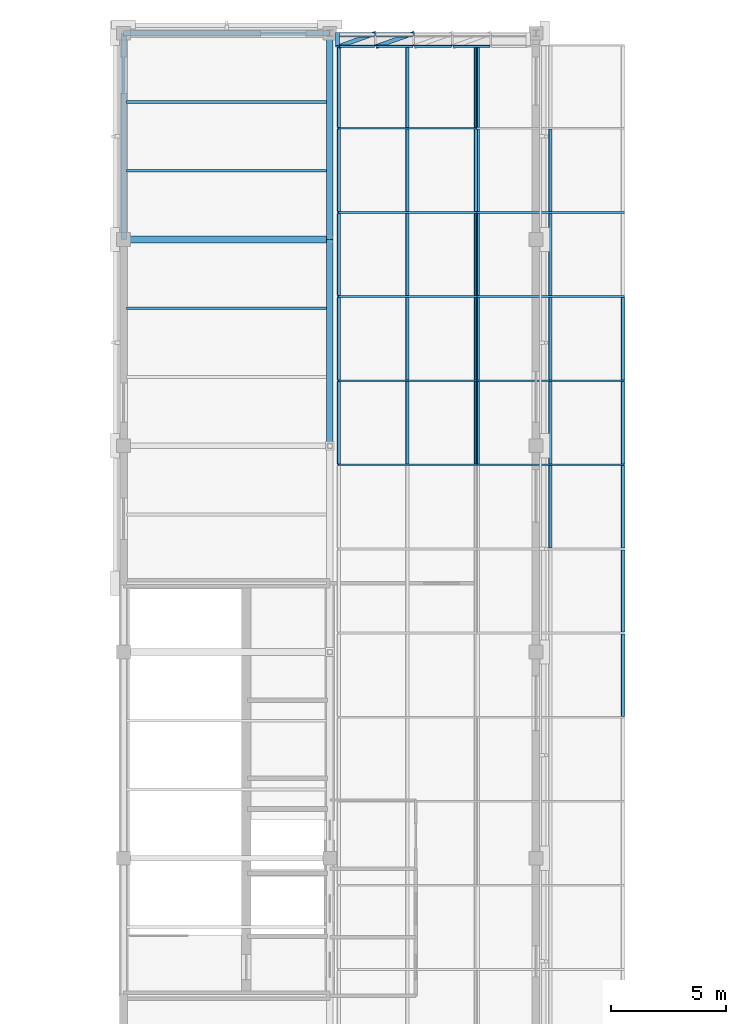
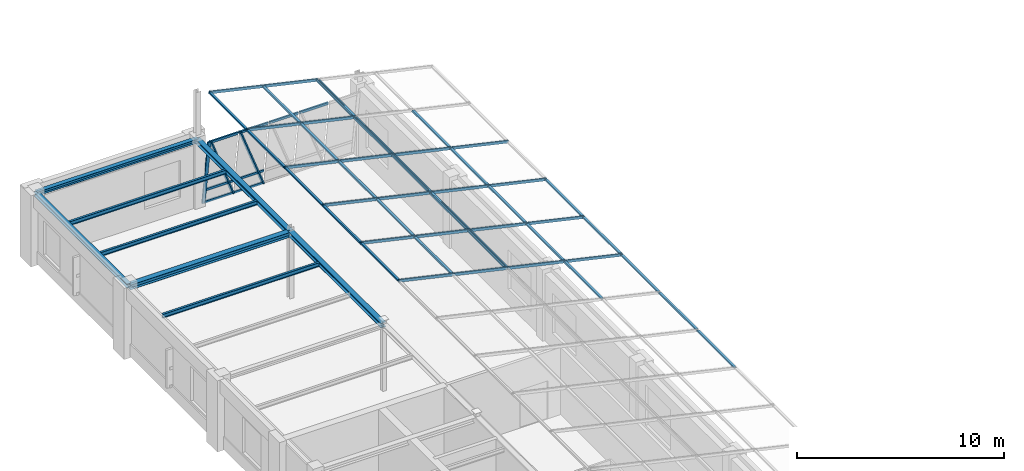
# One storey, part 56 of 97: 51 members, 8 beams, 3 elements without a shape of their own.
"""IFC4 building model written with IfcOpenShell, lengths in metres."""

from ifc_helpers import new_model, si_unit, direction, frame, origin, origin_2d, place, context, subcontext, project, spatial, hollow_rectangle, i_section, extrude, material, material_profile, profile_set, type_object, element, aggregate, save


model = new_model("IFC4")

# Units and contexts
model_context = context("Model", 3, precision=1e-05, world=origin(), true_north=direction((0.0, 1.0)))
body_context = subcontext(model_context, "Body", "Model", "MODEL_VIEW")
ifc_project = project(units=[si_unit("LENGTHUNIT", "METRE"), si_unit("AREAUNIT", "SQUARE_METRE"), si_unit("VOLUMEUNIT", "CUBIC_METRE"), si_unit("PLANEANGLEUNIT", "RADIAN"), si_unit("MASSUNIT", "GRAM", prefix="KILO")], contexts=[model_context])

# Site, building, storey
site_placement = place(None, origin())
site = spatial("IfcSite", under=ifc_project, at=site_placement, CompositionType="ELEMENT")
building_placement = place(site_placement, origin())
building = spatial("IfcBuilding", under=site, at=building_placement, Name="Lykobir Media Centre", CompositionType="ELEMENT")
storey_placement = place(building_placement, frame((0.0, 0.0, 23.39990234375)))
storey = spatial("IfcBuildingStorey", under=building, at=storey_placement, Name="L05", CompositionType="ELEMENT", Elevation=23.39990234375)

# Beams
ifc_material_1 = material(Name="Steel S355", Category="steel")
ifc_material_profile_1 = material_profile(ifc_material_1, i_section(OverallWidth=0.280029296875, OverallDepth=0.27001953125, WebThickness=0.008056640625, FlangeThickness=0.012939453125, at=origin_2d()), Name="HEA 280")
ifc_profile_set_1 = profile_set([ifc_material_profile_1], Name="Steel S355")
beam_type_1 = type_object("IfcBeamType", Name="BM-HEA280", PredefinedType="BEAM", material=ifc_profile_set_1)
for number, where, z_axis, x_axis, name in (
    (1, (36.0, 90.0, 3.8251953125), (0.0, 1.0, 0.0), (-1.0, 0.0, 0.0), "Beam BM-L05-0360-0900-0360-0990-2722"),
    (2, (36.0, 99.0, 3.8251953125), (0.0, 1.0, 0.0), (-1.0, 0.0, 0.0), "Beam BM-L05-0360-0990-0360-1080-2722"),
):
    element("IfcBeam", number, at=place(storey_placement, frame(where, z_axis=z_axis, x_axis=x_axis)), inside=storey, type_object=beam_type_1, Name=name, PredefinedType="BEAM", context=body_context, shape_type="SweptSolid", body=[
        extrude(i_section(OverallWidth=0.280029296875, OverallDepth=0.27001953125, WebThickness=0.008056640625, FlangeThickness=0.012939453125, at=origin_2d()), origin(), (0.0, 0.0, 1.0), 9.0),
    ])
ifc_material_profile_2 = material_profile(ifc_material_1, i_section(OverallWidth=0.300048828125, OverallDepth=0.2900390625, WebThickness=0.008544921875, FlangeThickness=0.013916015625, at=origin_2d()), Name="HEA 300")
ifc_profile_set_2 = profile_set([ifc_material_profile_2], Name="Steel S355")
beam_type_2 = type_object("IfcBeamType", Name="BM-HEA300", PredefinedType="BEAM", material=ifc_profile_set_2)
beam_placement = place(storey_placement, frame((27.0, 99.0, 3.815185546875), z_axis=(1.0, 0.0, 0.0), x_axis=(0.0, 1.0, 0.0)))
element("IfcBeam", 3, at=beam_placement, inside=storey, type_object=beam_type_2, Name="Beam BM-L05-0270-0990-0360-0990-2722", PredefinedType="BEAM", context=body_context, shape_type="SweptSolid", body=[
    extrude(i_section(OverallWidth=0.300048828125, OverallDepth=0.2900390625, WebThickness=0.008544921875, FlangeThickness=0.013916015625, at=origin_2d()), origin(), (0.0, 0.0, 1.0), 9.0),
])

# Curtain wall, members
ifc_material_2 = material(Name="Anodized Aluminium AW-6060", Category="aluminium")
curtain_wall_type_1 = type_object("IfcCurtainWallType", Name="CW-V6-CR5", PredefinedType="NOTDEFINED", material=ifc_material_2)
curtain_wall_1_placement = place(storey_placement, origin())
curtain_wall_1 = element("IfcCurtainWall", 4, at=curtain_wall_1_placement, inside=storey, type_object=curtain_wall_type_1, Name="Curtain wall CW2-L05-0200", PredefinedType="NOTDEFINED")
ifc_material_profile_3 = material_profile(ifc_material_2, hollow_rectangle(XDim=0.074951171875, YDim=0.179931640625, WallThickness=0.00390625, at=origin_2d()), Name="ALU MULLION 75x180")
ifc_profile_set_3 = profile_set([ifc_material_profile_3], Name="Anodized Aluminium AW-6060")
member_type_1 = type_object("IfcMemberType", Name="CWM-180", PredefinedType="MULLION", material=ifc_profile_set_3)
member_1_placement = place(storey_placement, frame((36.342529296875, 108.0, 0.0), z_axis=(0.0, -0.142649034949, 0.989773334066), x_axis=(0.0, 0.989773334066, 0.142649034949)))
member_1 = element("IfcMember", 5, at=member_1_placement, type_object=member_type_1, Name="CW2-L05-0200 mullion 1", PredefinedType="MULLION", context=body_context, shape_type="SweptSolid", body=[
    extrude(hollow_rectangle(XDim=0.074951171875, YDim=0.179931640625, WallThickness=0.00390625, at=origin_2d()), origin(), (0.0, 0.0, 1.0), 3.98095703125),
])
member_2_placement = place(storey_placement, frame((37.98291015625, 108.0, 0.0), z_axis=(-0.365957330306, -0.132753704038, 0.921114372084), x_axis=(0.865901427142, 0.314112089759, 0.389292067143)))
member_2 = element("IfcMember", 6, at=member_2_placement, type_object=member_type_1, Name="CW2-L05-0200 mullion 2", PredefinedType="MULLION", context=body_context, shape_type="SweptSolid", body=[
    extrude(hollow_rectangle(XDim=0.074951171875, YDim=0.179931640625, WallThickness=0.00390625, at=origin_2d()), origin(), (0.0, 0.0, 1.0), 4.277587890625),
])
member_3_placement = place(storey_placement, frame((39.660888671875, 108.0, 0.0), z_axis=(-0.374560053381, -0.132264564166, 0.917720464781), x_axis=(0.865353009405, 0.305573265504, 0.397226822512)))
member_3 = element("IfcMember", 7, at=member_3_placement, type_object=member_type_1, Name="CW2-L05-0200 mullion 3", PredefinedType="MULLION", context=body_context, shape_type="SweptSolid", body=[
    extrude(hollow_rectangle(XDim=0.074951171875, YDim=0.179931640625, WallThickness=0.00390625, at=origin_2d()), origin(), (0.0, 0.0, 1.0), 4.29345703125),
])
ifc_material_profile_4 = material_profile(ifc_material_2, hollow_rectangle(XDim=0.074951171875, YDim=0.14990234375, WallThickness=0.00341796875, at=origin_2d()), Name="ALU TRANSOM 75x150")
ifc_profile_set_4 = profile_set([ifc_material_profile_4], Name="Anodized Aluminium AW-6060")
member_type_2 = type_object("IfcMemberType", Name="CWT-150", PredefinedType="USERDEFINED", material=ifc_profile_set_4)
member_4_placement = place(storey_placement, frame((36.3798828125, 107.99462890625, 0.037109375), z_axis=(1.0, 0.0, 0.0), x_axis=(0.0, 0.989776230908, 0.142628933706)))
member_4 = element("IfcMember", 8, at=member_4_placement, type_object=member_type_2, Name="CW2-L05-0200 transom 1.1", ObjectType="TRANSOM", PredefinedType="USERDEFINED", context=body_context, shape_type="SweptSolid", body=[
    extrude(hollow_rectangle(XDim=0.074951171875, YDim=0.14990234375, WallThickness=0.00341796875, at=origin_2d()), origin(), (0.0, 0.0, 1.0), 1.565673828125),
])
member_5_placement = place(storey_placement, frame((36.3798828125, 107.87890625, 0.84130859375), z_axis=(1.0, 0.0, 0.0), x_axis=(0.0, 0.989776230908, 0.142628933706)))
member_5 = element("IfcMember", 9, at=member_5_placement, type_object=member_type_2, Name="CW2-L05-0200 transom 1.2", ObjectType="TRANSOM", PredefinedType="USERDEFINED", context=body_context, shape_type="SweptSolid", body=[
    extrude(hollow_rectangle(XDim=0.074951171875, YDim=0.14990234375, WallThickness=0.00341796875, at=origin_2d()), origin(), (0.0, 0.0, 1.0), 1.565673828125),
])
member_6_placement = place(storey_placement, frame((36.3798828125, 107.4375, 3.903076171875), z_axis=(1.0, 0.0, 0.0), x_axis=(0.0, 0.989776230908, 0.142628933706)))
member_6 = element("IfcMember", 10, at=member_6_placement, type_object=member_type_2, Name="CW2-L05-0200 transom 1.3", ObjectType="TRANSOM", PredefinedType="USERDEFINED", context=body_context, shape_type="SweptSolid", body=[
    extrude(hollow_rectangle(XDim=0.074951171875, YDim=0.14990234375, WallThickness=0.00341796875, at=origin_2d()), origin(), (0.0, 0.0, 1.0), 1.565673828125),
])
member_7_placement = place(storey_placement, frame((38.0205078125, 107.99462890625, 0.037109375), z_axis=(1.0, 0.0, 0.0), x_axis=(0.0, 0.989776230908, 0.142628933706)))
member_7 = element("IfcMember", 11, at=member_7_placement, type_object=member_type_2, Name="CW2-L05-0200 transom 2.1", ObjectType="TRANSOM", PredefinedType="USERDEFINED", context=body_context, shape_type="SweptSolid", body=[
    extrude(hollow_rectangle(XDim=0.074951171875, YDim=0.14990234375, WallThickness=0.00341796875, at=origin_2d()), origin(), (0.0, 0.0, 1.0), 1.60302734375),
])
member_8_placement = place(storey_placement, frame((38.0205078125, 107.87890625, 0.84130859375), z_axis=(1.0, 0.0, 0.0), x_axis=(0.0, 0.989776230908, 0.142628933706)))
member_8 = element("IfcMember", 12, at=member_8_placement, type_object=member_type_2, Name="CW2-L05-0200 transom 2.2", ObjectType="TRANSOM", PredefinedType="USERDEFINED", context=body_context, shape_type="SweptSolid", body=[
    extrude(hollow_rectangle(XDim=0.074951171875, YDim=0.14990234375, WallThickness=0.00341796875, at=origin_2d()), origin(), (0.0, 0.0, 1.0), 1.60302734375),
])
member_9_placement = place(storey_placement, frame((38.0205078125, 107.4375, 3.903076171875), z_axis=(1.0, 0.0, 0.0), x_axis=(0.0, 0.989776230908, 0.142628933706)))
member_9 = element("IfcMember", 13, at=member_9_placement, type_object=member_type_2, Name="CW2-L05-0200 transom 2.3", ObjectType="TRANSOM", PredefinedType="USERDEFINED", context=body_context, shape_type="SweptSolid", body=[
    extrude(hollow_rectangle(XDim=0.074951171875, YDim=0.14990234375, WallThickness=0.00341796875, at=origin_2d()), origin(), (0.0, 0.0, 1.0), 1.60302734375),
])
member_10_placement = place(storey_placement, frame((39.698486328125, 107.4375, 3.903076171875), z_axis=(1.0, 0.0, 0.0), x_axis=(0.0, 0.989776230908, 0.142628933706)))
member_10 = element("IfcMember", 14, at=member_10_placement, type_object=member_type_2, Name="CW2-L05-0200 transom 3.3", ObjectType="TRANSOM", PredefinedType="USERDEFINED", context=body_context, shape_type="SweptSolid", body=[
    extrude(hollow_rectangle(XDim=0.074951171875, YDim=0.14990234375, WallThickness=0.00341796875, at=origin_2d()), origin(), (0.0, 0.0, 1.0), 1.60302734375),
])
member_11_placement = place(storey_placement, frame((41.37646484375, 107.4375, 3.903076171875), z_axis=(1.0, 0.0, 0.0), x_axis=(0.0, 0.989776230908, 0.142628933706)))
member_11 = element("IfcMember", 15, at=member_11_placement, type_object=member_type_2, Name="CW2-L05-0200 transom 4.3", ObjectType="TRANSOM", PredefinedType="USERDEFINED", context=body_context, shape_type="SweptSolid", body=[
    extrude(hollow_rectangle(XDim=0.074951171875, YDim=0.14990234375, WallThickness=0.00341796875, at=origin_2d()), origin(), (0.0, 0.0, 1.0), 1.60302734375),
])
aggregate(curtain_wall_1, [member_1, member_2, member_3, member_4, member_5, member_6, member_7, member_8, member_9, member_10, member_11])

curtain_wall_type_2 = type_object("IfcCurtainWallType", Name="CW-V6-SKY", PredefinedType="NOTDEFINED", material=ifc_material_2)
curtain_wall_2_placement = place(storey_placement, origin())
curtain_wall_2 = element("IfcCurtainWall", 16, at=curtain_wall_2_placement, inside=storey, type_object=curtain_wall_type_2, Name="Curtain wall CW-V6-SKY06", PredefinedType="NOTDEFINED")
member_12_placement = place(storey_placement, frame((48.834716796875, 100.179931640625, 3.9873046875), z_axis=(-0.975255318588, 0.0, 0.221081576721), x_axis=(0.0, -1.0, 0.0)))
member_12 = element("IfcMember", 17, at=member_12_placement, type_object=member_type_2, Name="CW-V6-SKY06 rafter transom 3", ObjectType="TRANSOM", PredefinedType="USERDEFINED", context=body_context, shape_type="SweptSolid", body=[
    extrude(hollow_rectangle(XDim=0.074951171875, YDim=0.14990234375, WallThickness=0.00341796875, at=origin_2d()), origin(), (0.0, 0.0, 1.0), 6.591552734375),
])
member_13_placement = place(storey_placement, frame((48.834716796875, 96.510009765625, 3.9873046875), z_axis=(-0.975255318588, 0.0, 0.221081576721), x_axis=(0.0, -1.0, 0.0)))
member_13 = element("IfcMember", 18, at=member_13_placement, type_object=member_type_2, Name="CW-V6-SKY06 rafter transom 4", ObjectType="TRANSOM", PredefinedType="USERDEFINED", context=body_context, shape_type="SweptSolid", body=[
    extrude(hollow_rectangle(XDim=0.074951171875, YDim=0.14990234375, WallThickness=0.00341796875, at=origin_2d()), origin(), (0.0, 0.0, 1.0), 6.591552734375),
])
member_14_placement = place(storey_placement, frame((48.834716796875, 92.840087890625, 3.9873046875), z_axis=(-0.975255318588, 0.0, 0.221081576721), x_axis=(0.0, -1.0, 0.0)))
member_14 = element("IfcMember", 19, at=member_14_placement, type_object=member_type_2, Name="CW-V6-SKY06 rafter transom 5", ObjectType="TRANSOM", PredefinedType="USERDEFINED", context=body_context, shape_type="SweptSolid", body=[
    extrude(hollow_rectangle(XDim=0.074951171875, YDim=0.14990234375, WallThickness=0.00341796875, at=origin_2d()), origin(), (0.0, 0.0, 1.0), 6.591552734375),
])
member_15_placement = place(storey_placement, frame((48.834716796875, 89.169921875, 3.9873046875), z_axis=(-0.975255318588, 0.0, 0.221081576721), x_axis=(0.0, -1.0, 0.0)))
member_15 = element("IfcMember", 20, at=member_15_placement, type_object=member_type_2, Name="CW-V6-SKY06 rafter transom 6", ObjectType="TRANSOM", PredefinedType="USERDEFINED", context=body_context, shape_type="SweptSolid", body=[
    extrude(hollow_rectangle(XDim=0.074951171875, YDim=0.14990234375, WallThickness=0.00341796875, at=origin_2d()), origin(), (0.0, 0.0, 1.0), 6.591552734375),
])
member_16_placement = place(storey_placement, frame((42.44287109375, 107.445068359375, 5.436279296875), z_axis=(0.0, -1.0, 0.0), x_axis=(0.221071923309, 0.0, 0.975257506879)))
member_16 = element("IfcMember", 21, at=member_16_placement, type_object=member_type_2, Name="CW-V6-SKY06 transom 1.3", ObjectType="TRANSOM", PredefinedType="USERDEFINED", context=body_context, shape_type="SweptSolid", body=[
    extrude(hollow_rectangle(XDim=0.074951171875, YDim=0.14990234375, WallThickness=0.00341796875, at=origin_2d()), origin(), (0.0, 0.0, 1.0), 3.5576171875),
])
member_17_placement = place(storey_placement, frame((45.62060546875, 103.8125, 4.7158203125), z_axis=(0.0, -1.0, 0.0), x_axis=(0.221071923309, 0.0, 0.975257506879)))
member_17 = element("IfcMember", 22, at=member_17_placement, type_object=member_type_2, Name="CW-V6-SKY06 transom 2.2", ObjectType="TRANSOM", PredefinedType="USERDEFINED", context=body_context, shape_type="SweptSolid", body=[
    extrude(hollow_rectangle(XDim=0.074951171875, YDim=0.14990234375, WallThickness=0.00341796875, at=origin_2d()), origin(), (0.0, 0.0, 1.0), 3.594970703125),
])
member_18_placement = place(storey_placement, frame((42.44287109375, 103.8125, 5.436279296875), z_axis=(0.0, -1.0, 0.0), x_axis=(0.221071923309, 0.0, 0.975257506879)))
member_18 = element("IfcMember", 23, at=member_18_placement, type_object=member_type_2, Name="CW-V6-SKY06 transom 2.3", ObjectType="TRANSOM", PredefinedType="USERDEFINED", context=body_context, shape_type="SweptSolid", body=[
    extrude(hollow_rectangle(XDim=0.074951171875, YDim=0.14990234375, WallThickness=0.00341796875, at=origin_2d()), origin(), (0.0, 0.0, 1.0), 3.594970703125),
])
member_19_placement = place(storey_placement, frame((45.62060546875, 100.142578125, 4.7158203125), z_axis=(0.0, -1.0, 0.0), x_axis=(0.221071923309, 0.0, 0.975257506879)))
member_19 = element("IfcMember", 24, at=member_19_placement, type_object=member_type_2, Name="CW-V6-SKY06 transom 3.2", ObjectType="TRANSOM", PredefinedType="USERDEFINED", context=body_context, shape_type="SweptSolid", body=[
    extrude(hollow_rectangle(XDim=0.074951171875, YDim=0.14990234375, WallThickness=0.00341796875, at=origin_2d()), origin(), (0.0, 0.0, 1.0), 3.594970703125),
])
member_20_placement = place(storey_placement, frame((42.44287109375, 100.142578125, 5.436279296875), z_axis=(0.0, -1.0, 0.0), x_axis=(0.221071923309, 0.0, 0.975257506879)))
member_20 = element("IfcMember", 25, at=member_20_placement, type_object=member_type_2, Name="CW-V6-SKY06 transom 3.3", ObjectType="TRANSOM", PredefinedType="USERDEFINED", context=body_context, shape_type="SweptSolid", body=[
    extrude(hollow_rectangle(XDim=0.074951171875, YDim=0.14990234375, WallThickness=0.00341796875, at=origin_2d()), origin(), (0.0, 0.0, 1.0), 3.594970703125),
])
member_21_placement = place(storey_placement, frame((48.798095703125, 96.472412109375, 3.99560546875), z_axis=(0.0, -1.0, 0.0), x_axis=(0.221071923309, 0.0, 0.975257506879)))
member_21 = element("IfcMember", 26, at=member_21_placement, type_object=member_type_2, Name="CW-V6-SKY06 transom 4.1", ObjectType="TRANSOM", PredefinedType="USERDEFINED", context=body_context, shape_type="SweptSolid", body=[
    extrude(hollow_rectangle(XDim=0.074951171875, YDim=0.14990234375, WallThickness=0.00341796875, at=origin_2d()), origin(), (0.0, 0.0, 1.0), 3.594970703125),
])
member_22_placement = place(storey_placement, frame((45.62060546875, 96.472412109375, 4.7158203125), z_axis=(0.0, -1.0, 0.0), x_axis=(0.221071923309, 0.0, 0.975257506879)))
member_22 = element("IfcMember", 27, at=member_22_placement, type_object=member_type_2, Name="CW-V6-SKY06 transom 4.2", ObjectType="TRANSOM", PredefinedType="USERDEFINED", context=body_context, shape_type="SweptSolid", body=[
    extrude(hollow_rectangle(XDim=0.074951171875, YDim=0.14990234375, WallThickness=0.00341796875, at=origin_2d()), origin(), (0.0, 0.0, 1.0), 3.594970703125),
])
member_23_placement = place(storey_placement, frame((42.44287109375, 96.472412109375, 5.436279296875), z_axis=(0.0, -1.0, 0.0), x_axis=(0.221071923309, 0.0, 0.975257506879)))
member_23 = element("IfcMember", 28, at=member_23_placement, type_object=member_type_2, Name="CW-V6-SKY06 transom 4.3", ObjectType="TRANSOM", PredefinedType="USERDEFINED", context=body_context, shape_type="SweptSolid", body=[
    extrude(hollow_rectangle(XDim=0.074951171875, YDim=0.14990234375, WallThickness=0.00341796875, at=origin_2d()), origin(), (0.0, 0.0, 1.0), 3.594970703125),
])
member_24_placement = place(storey_placement, frame((48.798095703125, 92.802490234375, 3.99560546875), z_axis=(0.0, -1.0, 0.0), x_axis=(0.221071923309, 0.0, 0.975257506879)))
member_24 = element("IfcMember", 29, at=member_24_placement, type_object=member_type_2, Name="CW-V6-SKY06 transom 5.1", ObjectType="TRANSOM", PredefinedType="USERDEFINED", context=body_context, shape_type="SweptSolid", body=[
    extrude(hollow_rectangle(XDim=0.074951171875, YDim=0.14990234375, WallThickness=0.00341796875, at=origin_2d()), origin(), (0.0, 0.0, 1.0), 3.594970703125),
])
member_25_placement = place(storey_placement, frame((45.62060546875, 92.802490234375, 4.7158203125), z_axis=(0.0, -1.0, 0.0), x_axis=(0.221071923309, 0.0, 0.975257506879)))
member_25 = element("IfcMember", 30, at=member_25_placement, type_object=member_type_2, Name="CW-V6-SKY06 transom 5.2", ObjectType="TRANSOM", PredefinedType="USERDEFINED", context=body_context, shape_type="SweptSolid", body=[
    extrude(hollow_rectangle(XDim=0.074951171875, YDim=0.14990234375, WallThickness=0.00341796875, at=origin_2d()), origin(), (0.0, 0.0, 1.0), 3.594970703125),
])
member_26_placement = place(storey_placement, frame((42.44287109375, 92.802490234375, 5.436279296875), z_axis=(0.0, -1.0, 0.0), x_axis=(0.221071923309, 0.0, 0.975257506879)))
member_26 = element("IfcMember", 31, at=member_26_placement, type_object=member_type_2, Name="CW-V6-SKY06 transom 5.3", ObjectType="TRANSOM", PredefinedType="USERDEFINED", context=body_context, shape_type="SweptSolid", body=[
    extrude(hollow_rectangle(XDim=0.074951171875, YDim=0.14990234375, WallThickness=0.00341796875, at=origin_2d()), origin(), (0.0, 0.0, 1.0), 3.594970703125),
])
member_27_placement = place(storey_placement, frame((48.798095703125, 89.132568359375, 3.99560546875), z_axis=(0.0, -1.0, 0.0), x_axis=(0.221071923309, 0.0, 0.975257506879)))
member_27 = element("IfcMember", 32, at=member_27_placement, type_object=member_type_2, Name="CW-V6-SKY06 transom 6.1", ObjectType="TRANSOM", PredefinedType="USERDEFINED", context=body_context, shape_type="SweptSolid", body=[
    extrude(hollow_rectangle(XDim=0.074951171875, YDim=0.14990234375, WallThickness=0.00341796875, at=origin_2d()), origin(), (0.0, 0.0, 1.0), 3.594970703125),
])
member_28_placement = place(storey_placement, frame((45.62060546875, 89.132568359375, 4.7158203125), z_axis=(0.0, -1.0, 0.0), x_axis=(0.221071923309, 0.0, 0.975257506879)))
member_28 = element("IfcMember", 33, at=member_28_placement, type_object=member_type_2, Name="CW-V6-SKY06 transom 6.2", ObjectType="TRANSOM", PredefinedType="USERDEFINED", context=body_context, shape_type="SweptSolid", body=[
    extrude(hollow_rectangle(XDim=0.074951171875, YDim=0.14990234375, WallThickness=0.00341796875, at=origin_2d()), origin(), (0.0, 0.0, 1.0), 3.594970703125),
])
member_29_placement = place(storey_placement, frame((48.798095703125, 85.46240234375, 3.99560546875), z_axis=(0.0, -1.0, 0.0), x_axis=(0.221071923309, 0.0, 0.975257506879)))
member_29 = element("IfcMember", 34, at=member_29_placement, type_object=member_type_2, Name="CW-V6-SKY06 transom 7.1", ObjectType="TRANSOM", PredefinedType="USERDEFINED", context=body_context, shape_type="SweptSolid", body=[
    extrude(hollow_rectangle(XDim=0.074951171875, YDim=0.14990234375, WallThickness=0.00341796875, at=origin_2d()), origin(), (0.0, 0.0, 1.0), 3.594970703125),
])
member_30_placement = place(storey_placement, frame((48.798095703125, 81.79248046875, 3.99560546875), z_axis=(0.0, -1.0, 0.0), x_axis=(0.221071923309, 0.0, 0.975257506879)))
member_30 = element("IfcMember", 35, at=member_30_placement, type_object=member_type_2, Name="CW-V6-SKY06 transom 8.1", ObjectType="TRANSOM", PredefinedType="USERDEFINED", context=body_context, shape_type="SweptSolid", body=[
    extrude(hollow_rectangle(XDim=0.074951171875, YDim=0.14990234375, WallThickness=0.00341796875, at=origin_2d()), origin(), (0.0, 0.0, 1.0), 3.594970703125),
])
aggregate(curtain_wall_2, [member_12, member_13, member_14, member_15, member_16, member_17, member_18, member_19, member_20, member_21, member_22, member_23, member_24, member_25, member_26, member_27, member_28, member_29, member_30])

curtain_wall_3_placement = place(storey_placement, origin())
curtain_wall_3 = element("IfcCurtainWall", 36, at=curtain_wall_3_placement, inside=storey, type_object=curtain_wall_type_2, Name="Curtain wall CW-V6-SKY07", PredefinedType="NOTDEFINED")
member_31_placement = place(storey_placement, frame((42.40625, 107.482421875, 5.444580078125), z_axis=(-0.97526608678, 0.0, 0.221034069718), x_axis=(0.0, -1.0, 0.0)))
member_31 = element("IfcMember", 37, at=member_31_placement, type_object=member_type_2, Name="CW-V6-SKY07 rafter transom 1", ObjectType="TRANSOM", PredefinedType="USERDEFINED", context=body_context, shape_type="SweptSolid", body=[
    extrude(hollow_rectangle(XDim=0.074951171875, YDim=0.14990234375, WallThickness=0.00341796875, at=origin_2d()), origin(), (0.0, 0.0, 1.0), 6.201904296875),
])
member_32_placement = place(storey_placement, frame((42.40625, 103.85009765625, 5.444580078125), z_axis=(-0.97526608678, 0.0, 0.221034069718), x_axis=(0.0, -1.0, 0.0)))
member_32 = element("IfcMember", 38, at=member_32_placement, type_object=member_type_2, Name="CW-V6-SKY07 rafter transom 2", ObjectType="TRANSOM", PredefinedType="USERDEFINED", context=body_context, shape_type="SweptSolid", body=[
    extrude(hollow_rectangle(XDim=0.074951171875, YDim=0.14990234375, WallThickness=0.00341796875, at=origin_2d()), origin(), (0.0, 0.0, 1.0), 6.201904296875),
])
member_33_placement = place(storey_placement, frame((42.40625, 100.179931640625, 5.444580078125), z_axis=(-0.97526608678, 0.0, 0.221034069718), x_axis=(0.0, -1.0, 0.0)))
member_33 = element("IfcMember", 39, at=member_33_placement, type_object=member_type_2, Name="CW-V6-SKY07 rafter transom 3", ObjectType="TRANSOM", PredefinedType="USERDEFINED", context=body_context, shape_type="SweptSolid", body=[
    extrude(hollow_rectangle(XDim=0.074951171875, YDim=0.14990234375, WallThickness=0.00341796875, at=origin_2d()), origin(), (0.0, 0.0, 1.0), 6.201904296875),
])
member_34_placement = place(storey_placement, frame((42.40625, 96.510009765625, 5.444580078125), z_axis=(-0.97526608678, 0.0, 0.221034069718), x_axis=(0.0, -1.0, 0.0)))
member_34 = element("IfcMember", 40, at=member_34_placement, type_object=member_type_2, Name="CW-V6-SKY07 rafter transom 4", ObjectType="TRANSOM", PredefinedType="USERDEFINED", context=body_context, shape_type="SweptSolid", body=[
    extrude(hollow_rectangle(XDim=0.074951171875, YDim=0.14990234375, WallThickness=0.00341796875, at=origin_2d()), origin(), (0.0, 0.0, 1.0), 6.201904296875),
])
member_35_placement = place(storey_placement, frame((42.40625, 92.840087890625, 5.444580078125), z_axis=(-0.97526608678, 0.0, 0.221034069718), x_axis=(0.0, -1.0, 0.0)))
member_35 = element("IfcMember", 41, at=member_35_placement, type_object=member_type_2, Name="CW-V6-SKY07 rafter transom 5", ObjectType="TRANSOM", PredefinedType="USERDEFINED", context=body_context, shape_type="SweptSolid", body=[
    extrude(hollow_rectangle(XDim=0.074951171875, YDim=0.14990234375, WallThickness=0.00341796875, at=origin_2d()), origin(), (0.0, 0.0, 1.0), 6.201904296875),
])
member_36_placement = place(storey_placement, frame((42.40625, 89.169921875, 5.444580078125), z_axis=(-0.97526608678, 0.0, 0.221034069718), x_axis=(0.0, -1.0, 0.0)))
member_36 = element("IfcMember", 42, at=member_36_placement, type_object=member_type_2, Name="CW-V6-SKY07 rafter transom 6", ObjectType="TRANSOM", PredefinedType="USERDEFINED", context=body_context, shape_type="SweptSolid", body=[
    extrude(hollow_rectangle(XDim=0.074951171875, YDim=0.14990234375, WallThickness=0.00341796875, at=origin_2d()), origin(), (0.0, 0.0, 1.0), 6.201904296875),
])
member_37_placement = place(storey_placement, frame((42.36962890625, 107.445068359375, 5.452880859375), z_axis=(0.0, -1.0, 0.0), x_axis=(0.221054901821, 0.0, 0.975261365164)))
member_37 = element("IfcMember", 43, at=member_37_placement, type_object=member_type_2, Name="CW-V6-SKY07 transom 1.1", ObjectType="TRANSOM", PredefinedType="USERDEFINED", context=body_context, shape_type="SweptSolid", body=[
    extrude(hollow_rectangle(XDim=0.074951171875, YDim=0.14990234375, WallThickness=0.00341796875, at=origin_2d()), origin(), (0.0, 0.0, 1.0), 3.5576171875),
])
member_38_placement = place(storey_placement, frame((39.382080078125, 107.445068359375, 6.1298828125), z_axis=(0.0, -1.0, 0.0), x_axis=(0.221054901821, 0.0, 0.975261365164)))
member_38 = element("IfcMember", 44, at=member_38_placement, type_object=member_type_2, Name="CW-V6-SKY07 transom 1.2", ObjectType="TRANSOM", PredefinedType="USERDEFINED", context=body_context, shape_type="SweptSolid", body=[
    extrude(hollow_rectangle(XDim=0.074951171875, YDim=0.14990234375, WallThickness=0.00341796875, at=origin_2d()), origin(), (0.0, 0.0, 1.0), 3.5576171875),
])
member_39_placement = place(storey_placement, frame((36.394287109375, 107.445068359375, 6.80712890625), z_axis=(0.0, -1.0, 0.0), x_axis=(0.221054901821, 0.0, 0.975261365164)))
member_39 = element("IfcMember", 45, at=member_39_placement, type_object=member_type_2, Name="CW-V6-SKY07 transom 1.3", ObjectType="TRANSOM", PredefinedType="USERDEFINED", context=body_context, shape_type="SweptSolid", body=[
    extrude(hollow_rectangle(XDim=0.074951171875, YDim=0.14990234375, WallThickness=0.00341796875, at=origin_2d()), origin(), (0.0, 0.0, 1.0), 3.5576171875),
])
member_40_placement = place(storey_placement, frame((42.36962890625, 103.8125, 5.452880859375), z_axis=(0.0, -1.0, 0.0), x_axis=(0.221054901821, 0.0, 0.975261365164)))
member_40 = element("IfcMember", 46, at=member_40_placement, type_object=member_type_2, Name="CW-V6-SKY07 transom 2.1", ObjectType="TRANSOM", PredefinedType="USERDEFINED", context=body_context, shape_type="SweptSolid", body=[
    extrude(hollow_rectangle(XDim=0.074951171875, YDim=0.14990234375, WallThickness=0.00341796875, at=origin_2d()), origin(), (0.0, 0.0, 1.0), 3.594970703125),
])
member_41_placement = place(storey_placement, frame((39.382080078125, 103.8125, 6.1298828125), z_axis=(0.0, -1.0, 0.0), x_axis=(0.221054901821, 0.0, 0.975261365164)))
member_41 = element("IfcMember", 47, at=member_41_placement, type_object=member_type_2, Name="CW-V6-SKY07 transom 2.2", ObjectType="TRANSOM", PredefinedType="USERDEFINED", context=body_context, shape_type="SweptSolid", body=[
    extrude(hollow_rectangle(XDim=0.074951171875, YDim=0.14990234375, WallThickness=0.00341796875, at=origin_2d()), origin(), (0.0, 0.0, 1.0), 3.594970703125),
])
member_42_placement = place(storey_placement, frame((36.394287109375, 103.8125, 6.80712890625), z_axis=(0.0, -1.0, 0.0), x_axis=(0.221054901821, 0.0, 0.975261365164)))
member_42 = element("IfcMember", 48, at=member_42_placement, type_object=member_type_2, Name="CW-V6-SKY07 transom 2.3", ObjectType="TRANSOM", PredefinedType="USERDEFINED", context=body_context, shape_type="SweptSolid", body=[
    extrude(hollow_rectangle(XDim=0.074951171875, YDim=0.14990234375, WallThickness=0.00341796875, at=origin_2d()), origin(), (0.0, 0.0, 1.0), 3.594970703125),
])
member_43_placement = place(storey_placement, frame((42.36962890625, 100.142578125, 5.452880859375), z_axis=(0.0, -1.0, 0.0), x_axis=(0.221054901821, 0.0, 0.975261365164)))
member_43 = element("IfcMember", 49, at=member_43_placement, type_object=member_type_2, Name="CW-V6-SKY07 transom 3.1", ObjectType="TRANSOM", PredefinedType="USERDEFINED", context=body_context, shape_type="SweptSolid", body=[
    extrude(hollow_rectangle(XDim=0.074951171875, YDim=0.14990234375, WallThickness=0.00341796875, at=origin_2d()), origin(), (0.0, 0.0, 1.0), 3.594970703125),
])
member_44_placement = place(storey_placement, frame((39.382080078125, 100.142578125, 6.1298828125), z_axis=(0.0, -1.0, 0.0), x_axis=(0.221054901821, 0.0, 0.975261365164)))
member_44 = element("IfcMember", 50, at=member_44_placement, type_object=member_type_2, Name="CW-V6-SKY07 transom 3.2", ObjectType="TRANSOM", PredefinedType="USERDEFINED", context=body_context, shape_type="SweptSolid", body=[
    extrude(hollow_rectangle(XDim=0.074951171875, YDim=0.14990234375, WallThickness=0.00341796875, at=origin_2d()), origin(), (0.0, 0.0, 1.0), 3.594970703125),
])
member_45_placement = place(storey_placement, frame((36.394287109375, 100.142578125, 6.80712890625), z_axis=(0.0, -1.0, 0.0), x_axis=(0.221054901821, 0.0, 0.975261365164)))
member_45 = element("IfcMember", 51, at=member_45_placement, type_object=member_type_2, Name="CW-V6-SKY07 transom 3.3", ObjectType="TRANSOM", PredefinedType="USERDEFINED", context=body_context, shape_type="SweptSolid", body=[
    extrude(hollow_rectangle(XDim=0.074951171875, YDim=0.14990234375, WallThickness=0.00341796875, at=origin_2d()), origin(), (0.0, 0.0, 1.0), 3.594970703125),
])
member_46_placement = place(storey_placement, frame((42.36962890625, 96.472412109375, 5.452880859375), z_axis=(0.0, -1.0, 0.0), x_axis=(0.221054901821, 0.0, 0.975261365164)))
member_46 = element("IfcMember", 52, at=member_46_placement, type_object=member_type_2, Name="CW-V6-SKY07 transom 4.1", ObjectType="TRANSOM", PredefinedType="USERDEFINED", context=body_context, shape_type="SweptSolid", body=[
    extrude(hollow_rectangle(XDim=0.074951171875, YDim=0.14990234375, WallThickness=0.00341796875, at=origin_2d()), origin(), (0.0, 0.0, 1.0), 3.594970703125),
])
member_47_placement = place(storey_placement, frame((39.382080078125, 96.472412109375, 6.1298828125), z_axis=(0.0, -1.0, 0.0), x_axis=(0.221054901821, 0.0, 0.975261365164)))
member_47 = element("IfcMember", 53, at=member_47_placement, type_object=member_type_2, Name="CW-V6-SKY07 transom 4.2", ObjectType="TRANSOM", PredefinedType="USERDEFINED", context=body_context, shape_type="SweptSolid", body=[
    extrude(hollow_rectangle(XDim=0.074951171875, YDim=0.14990234375, WallThickness=0.00341796875, at=origin_2d()), origin(), (0.0, 0.0, 1.0), 3.594970703125),
])
member_48_placement = place(storey_placement, frame((36.394287109375, 96.472412109375, 6.80712890625), z_axis=(0.0, -1.0, 0.0), x_axis=(0.221054901821, 0.0, 0.975261365164)))
member_48 = element("IfcMember", 54, at=member_48_placement, type_object=member_type_2, Name="CW-V6-SKY07 transom 4.3", ObjectType="TRANSOM", PredefinedType="USERDEFINED", context=body_context, shape_type="SweptSolid", body=[
    extrude(hollow_rectangle(XDim=0.074951171875, YDim=0.14990234375, WallThickness=0.00341796875, at=origin_2d()), origin(), (0.0, 0.0, 1.0), 3.594970703125),
])
member_49_placement = place(storey_placement, frame((42.36962890625, 92.802490234375, 5.452880859375), z_axis=(0.0, -1.0, 0.0), x_axis=(0.221054901821, 0.0, 0.975261365164)))
member_49 = element("IfcMember", 55, at=member_49_placement, type_object=member_type_2, Name="CW-V6-SKY07 transom 5.1", ObjectType="TRANSOM", PredefinedType="USERDEFINED", context=body_context, shape_type="SweptSolid", body=[
    extrude(hollow_rectangle(XDim=0.074951171875, YDim=0.14990234375, WallThickness=0.00341796875, at=origin_2d()), origin(), (0.0, 0.0, 1.0), 3.594970703125),
])
member_50_placement = place(storey_placement, frame((39.382080078125, 92.802490234375, 6.1298828125), z_axis=(0.0, -1.0, 0.0), x_axis=(0.221054901821, 0.0, 0.975261365164)))
member_50 = element("IfcMember", 56, at=member_50_placement, type_object=member_type_2, Name="CW-V6-SKY07 transom 5.2", ObjectType="TRANSOM", PredefinedType="USERDEFINED", context=body_context, shape_type="SweptSolid", body=[
    extrude(hollow_rectangle(XDim=0.074951171875, YDim=0.14990234375, WallThickness=0.00341796875, at=origin_2d()), origin(), (0.0, 0.0, 1.0), 3.594970703125),
])
member_51_placement = place(storey_placement, frame((36.394287109375, 92.802490234375, 6.80712890625), z_axis=(0.0, -1.0, 0.0), x_axis=(0.221054901821, 0.0, 0.975261365164)))
member_51 = element("IfcMember", 57, at=member_51_placement, type_object=member_type_2, Name="CW-V6-SKY07 transom 5.3", ObjectType="TRANSOM", PredefinedType="USERDEFINED", context=body_context, shape_type="SweptSolid", body=[
    extrude(hollow_rectangle(XDim=0.074951171875, YDim=0.14990234375, WallThickness=0.00341796875, at=origin_2d()), origin(), (0.0, 0.0, 1.0), 3.594970703125),
])
aggregate(curtain_wall_3, [member_31, member_32, member_33, member_34, member_35, member_36, member_37, member_38, member_39, member_40, member_41, member_42, member_43, member_44, member_45, member_46, member_47, member_48, member_49, member_50, member_51])

# Beams
ifc_material_profile_5 = material_profile(ifc_material_1, i_section(OverallWidth=0.1201171875, OverallDepth=0.239990234375, WebThickness=0.006103515625, FlangeThickness=0.009765625, at=origin_2d()), Name="IPE 240")
ifc_profile_set_5 = profile_set([ifc_material_profile_5], Name="Steel S355")
beam_type_3 = type_object("IfcBeamType", Name="JS-IPE240", PredefinedType="JOIST", material=ifc_profile_set_5)
for number, where, z_axis, x_axis, name in (
    (58, (27.1201171875, 96.0, 3.840087890625), (1.0, 0.0, 0.0), (0.0, 1.0, 0.0), "Beam BM-L05-0271-0960-0359-0960-2724"),
    (59, (27.1201171875, 102.0, 3.840087890625), (1.0, 0.0, 0.0), (0.0, 1.0, 0.0), "Beam BM-L05-0271-1020-0359-1020-2724"),
    (60, (27.1201171875, 105.0, 3.840087890625), (1.0, 0.0, 0.0), (0.0, 1.0, 0.0), "Beam BM-L05-0271-1050-0359-1050-2724"),
):
    element("IfcBeam", number, at=place(storey_placement, frame(where, z_axis=z_axis, x_axis=x_axis)), inside=storey, type_object=beam_type_3, Name=name, PredefinedType="JOIST", context=body_context, shape_type="SweptSolid", body=[
        extrude(i_section(OverallWidth=0.1201171875, OverallDepth=0.239990234375, WebThickness=0.006103515625, FlangeThickness=0.009765625, at=origin_2d()), origin(), (0.0, 0.0, 1.0), 8.739990234375),
    ])
ifc_material_profile_6 = material_profile(ifc_material_1, i_section(OverallWidth=0.239990234375, OverallDepth=0.22998046875, WebThickness=0.007568359375, FlangeThickness=0.011962890625, at=origin_2d()), Name="HEA 240")
ifc_profile_set_6 = profile_set([ifc_material_profile_6], Name="Steel S355")
beam_type_4 = type_object("IfcBeamType", Name="SP-HEA240", PredefinedType="SPANDREL", material=ifc_profile_set_6)
for number, where, z_axis, x_axis, name in (
    (61, (27.0, 108.0, 3.84521484375), (1.0, 0.0, 0.0), (0.0, 1.0, 0.0), "Beam BM-L05-0270-1080-0360-1080-2724"),
    (62, (27.0, 99.0, 3.84521484375), (0.0, 1.0, 0.0), (-1.0, 0.0, 0.0), "Beam BM-L05-0270-0990-0270-1080-2724"),
):
    element("IfcBeam", number, at=place(storey_placement, frame(where, z_axis=z_axis, x_axis=x_axis)), inside=storey, type_object=beam_type_4, Name=name, PredefinedType="SPANDREL", context=body_context, shape_type="SweptSolid", body=[
        extrude(i_section(OverallWidth=0.239990234375, OverallDepth=0.22998046875, WebThickness=0.007568359375, FlangeThickness=0.011962890625, at=origin_2d()), origin(), (0.0, 0.0, 1.0), 9.0),
    ])

save(model, "model.ifc")
